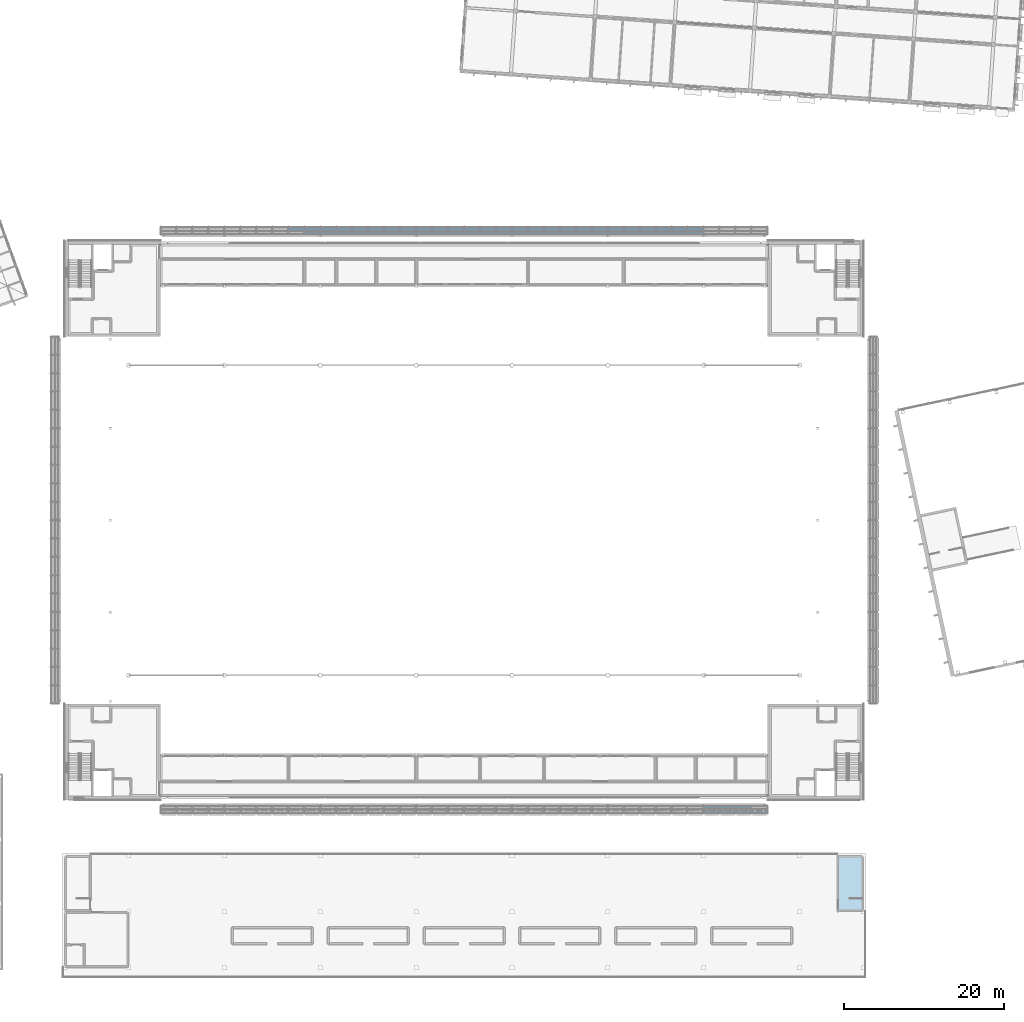
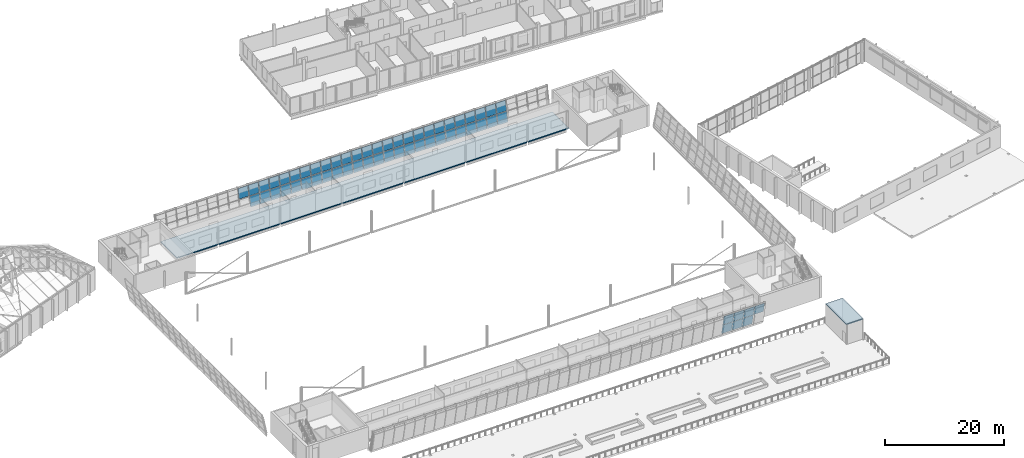
# One storey, part 44 of 95: 58 plates, 2 slabs, 3 elements without a shape of their own.
"""IFC4 building model written with IfcOpenShell, lengths in metres."""

import ifcopenshell
import ifcopenshell.guid

model = None  # the IFC model being written
_history = None  # IfcOwnerHistory: only IFC2X3 demands one
_inside = {}  # id of a spatial element -> (the spatial element, [elements in it])
_under = {}  # id of a project, library or spatial element -> (it, [spatial elements below it])
_declared = {}  # id of a project -> (the project, [libraries it declares])
_typed = {}  # id of a type object -> (the type object, [elements of that type])
_made_of = {}  # id of a material, layer set ... -> (it, [elements and type objects made of it])


def new_model(schema):
    """Start an empty IFC model of exactly this schema.

    Asked for "IFC4X3", IfcOpenShell would pick the latest addendum, in which some entities
    have other attributes; the version numbers below select the first issue.
    IFC2X3 requires an IfcOwnerHistory on every rooted entity: one is made here for all.
    """
    global model, _history
    if schema == "IFC4X3":
        model = ifcopenshell.file(schema_version=(4, 3, 0, 0))
    else:
        model = ifcopenshell.file(schema=schema)
    _inside.clear()
    _under.clear()
    _declared.clear()
    _typed.clear()
    _made_of.clear()
    _history = None
    if model.schema == "IFC2X3":
        org = make("IfcOrganization", Name="unknown")
        user = make(
            "IfcPersonAndOrganization",
            ThePerson=make("IfcPerson", FamilyName="unknown"),
            TheOrganization=org,
        )
        app = make(
            "IfcApplication",
            ApplicationDeveloper=org,
            Version="unknown",
            ApplicationFullName="unknown",
            ApplicationIdentifier="unknown",
        )
        _history = make(
            "IfcOwnerHistory",
            OwningUser=user,
            OwningApplication=app,
            ChangeAction="ADDED",
            CreationDate=0,
        )
    return model


def make(cls, **values):
    """One entity of the class cls with the attributes given. An attribute that is None is left unset."""
    return model.create_entity(
        cls, **{name: value for name, value in values.items() if value is not None}
    )


def rooted(cls, **values):
    """An entity with a GlobalId (a new one), such as an element, a storey or a relation."""
    return make(cls, GlobalId=ifcopenshell.guid.new(), OwnerHistory=_history, **values)


def si_unit(unit_type, name, prefix=None):
    """IfcSIUnit, for example si_unit("LENGTHUNIT", "METRE", prefix="MILLI")."""
    return make("IfcSIUnit", UnitType=unit_type, Prefix=prefix, Name=name)


def assignment(units):
    """IfcUnitAssignment: the units of a project."""
    return None if units is None else make("IfcUnitAssignment", Units=units)


def point(xyz):
    """IfcCartesianPoint."""
    return None if xyz is None else make("IfcCartesianPoint", Coordinates=xyz)


def direction(xyz):
    """IfcDirection."""
    return None if xyz is None else make("IfcDirection", DirectionRatios=xyz)


def frame(location, z_axis=None, x_axis=None):
    """IfcAxis2Placement3D, a coordinate frame: its origin and axes. An axis left out is left unset."""
    return make(
        "IfcAxis2Placement3D",
        Location=point(location),
        Axis=direction(z_axis),
        RefDirection=direction(x_axis),
    )


def origin():
    """The frame at (0, 0, 0) with its axes left unset."""
    return frame((0.0, 0.0, 0.0))


def place(relative_to, where):
    """IfcLocalPlacement: puts the frame where relative to a parent placement (None: the world)."""
    return make(
        "IfcLocalPlacement", PlacementRelTo=relative_to, RelativePlacement=where
    )


def context(
    kind, dimensions, precision=None, world=None, true_north=None, identifier=None
):
    """IfcGeometricRepresentationContext, for example the 3D "Model" context."""
    return make(
        "IfcGeometricRepresentationContext",
        ContextIdentifier=identifier,
        ContextType=kind,
        CoordinateSpaceDimension=dimensions,
        Precision=precision,
        WorldCoordinateSystem=world,
        TrueNorth=true_north,
    )


def subcontext(parent, identifier, kind, view, scale=None):
    """IfcGeometricRepresentationSubContext, for example "Body" below "Model"."""
    return make(
        "IfcGeometricRepresentationSubContext",
        ContextIdentifier=identifier,
        ContextType=kind,
        ParentContext=parent,
        TargetScale=scale,
        TargetView=view,
    )


def project(units=None, contexts=None):
    """IfcProject with its units and contexts."""
    return rooted(
        "IfcProject",
        Name="project",
        RepresentationContexts=contexts,
        UnitsInContext=assignment(units),
    )


def spatial(cls, under=None, at=None, **own):
    """A site, building, storey or space (cls), placed at a placement, below another one or the project."""
    s = rooted(cls, ObjectPlacement=at, **own)
    if under is not None:
        _under.setdefault(under.id(), (under, []))[1].append(s)
    return s


def polyline(points):
    """IfcPolyline through the points."""
    return make("IfcPolyline", Points=[point(p) for p in points])


def outline(outer, holes=None, kind="AREA"):
    """IfcArbitraryClosedProfileDef: a profile drawn as a closed curve; with holes, ...WithVoids."""
    if holes is None:
        return make("IfcArbitraryClosedProfileDef", ProfileType=kind, OuterCurve=outer)
    return make(
        "IfcArbitraryProfileDefWithVoids",
        ProfileType=kind,
        OuterCurve=outer,
        InnerCurves=holes,
    )


def extrude(swept, where, along, depth):
    """IfcExtrudedAreaSolid: the profile swept, set in the frame where, extruded along a direction by depth."""
    return make(
        "IfcExtrudedAreaSolid",
        SweptArea=swept,
        Position=where,
        ExtrudedDirection=direction(along),
        Depth=depth,
    )


def shape(context_of_items, identifier, shape_type, items):
    """IfcShapeRepresentation: the items that make up one representation, for example the "Body"."""
    return make(
        "IfcShapeRepresentation",
        ContextOfItems=context_of_items,
        RepresentationIdentifier=identifier,
        RepresentationType=shape_type,
        Items=items,
    )


def material(Name=None, Category=None):
    """IfcMaterial."""
    return make("IfcMaterial", Name=Name, Category=Category)


def layer(
    of_material, thickness, ventilated=None, Name=None, Category=None, Priority=None
):
    """IfcMaterialLayer: one layer of a wall or slab, of a material (None: an air gap)."""
    return make(
        "IfcMaterialLayer",
        Material=of_material,
        LayerThickness=thickness,
        IsVentilated=ventilated,
        Name=Name,
        Category=Category,
        Priority=Priority,
    )


def layer_set(layers, Name=None):
    """IfcMaterialLayerSet."""
    return make("IfcMaterialLayerSet", MaterialLayers=layers, LayerSetName=Name)


def made_of(thing, what):
    """Note that an element or type object is made of a material, layer set ...; save() writes the relation."""
    if what is not None:
        _made_of.setdefault(what.id(), (what, []))[1].append(thing)
    return thing


def type_object(cls, material=None, **own):
    """A type object (cls), such as IfcWallType, which elements share."""
    return made_of(rooted(cls, **own), material)


def element(
    cls,
    number,
    at=None,
    inside=None,
    cuts=None,
    type_object=None,
    material=None,
    context=None,
    identifier="Body",
    shape_type=None,
    held_by="IfcProductDefinitionShape",
    body=None,
    shapes=None,
    **own,
):
    """One element of the class cls, such as IfcWall. Its Tag is "e" and its number.

    at: its placement. inside: the storey or other place that contains it. cuts: it is an
    opening in that element (IfcRelVoidsElement). A single representation is given by context,
    identifier, shape_type and body (its items); several are given by shapes. held_by: the class
    of the entity that holds the representations. save() writes the other relations.
    """
    e = rooted(cls, Tag="e%d" % number, ObjectPlacement=at, **own)
    if body is not None:
        shapes = [shape(context, identifier, shape_type, body)]
    if shapes is not None:
        e.Representation = make(held_by, Representations=shapes)
    if inside is not None:
        _inside.setdefault(inside.id(), (inside, []))[1].append(e)
    if cuts is not None:
        rooted(
            "IfcRelVoidsElement", RelatingBuildingElement=cuts, RelatedOpeningElement=e
        )
    if type_object is not None:
        _typed.setdefault(type_object.id(), (type_object, []))[1].append(e)
    return made_of(e, material)


def aggregate(whole, parts):
    """IfcRelAggregates: a whole, such as a stair, and the parts it consists of."""
    return rooted("IfcRelAggregates", RelatingObject=whole, RelatedObjects=parts)


def save(model, path):
    """Write the relations noted so far, then the file.

    IfcRelAggregates (storeys below a building ...), IfcRelContainedInSpatialStructure (elements
    in a storey), IfcRelDefinesByType, IfcRelAssociatesMaterial and IfcRelDeclares: one each for
    every whole, place, type object, material and project.
    """
    for whole, parts in _under.values():
        aggregate(whole, parts)
    for where, things in _inside.values():
        rooted(
            "IfcRelContainedInSpatialStructure",
            RelatedElements=things,
            RelatingStructure=where,
        )
    for kind, things in _typed.values():
        rooted("IfcRelDefinesByType", RelatedObjects=things, RelatingType=kind)
    for what, things in _made_of.values():
        rooted("IfcRelAssociatesMaterial", RelatedObjects=things, RelatingMaterial=what)
    for by, libraries in _declared.values():
        rooted("IfcRelDeclares", RelatingContext=by, RelatedDefinitions=libraries)
    model.write(path)


model = new_model("IFC4")

# Units and contexts
model_context = context("Model", 3, precision=1e-05, world=origin(), true_north=direction((0.0, 1.0)))
body_context = subcontext(model_context, "Body", "Model", "MODEL_VIEW")
ifc_project = project(units=[si_unit("LENGTHUNIT", "METRE"), si_unit("AREAUNIT", "SQUARE_METRE"), si_unit("VOLUMEUNIT", "CUBIC_METRE"), si_unit("PLANEANGLEUNIT", "RADIAN"), si_unit("MASSUNIT", "GRAM", prefix="KILO")], contexts=[model_context])

# Site, building, storey
site_placement = place(None, origin())
site = spatial("IfcSite", under=ifc_project, at=site_placement, CompositionType="ELEMENT")
building_placement = place(site_placement, origin())
building = spatial("IfcBuilding", under=site, at=building_placement, Name="Windward Yard Aquatics Centre", CompositionType="ELEMENT")
storey_placement = place(building_placement, frame((0.0, 0.0, 9.39990234375)))
storey = spatial("IfcBuildingStorey", under=building, at=storey_placement, Name="L02", CompositionType="ELEMENT", Elevation=9.39990234375)

# Slabs
ifc_material_1 = material(Name="Concrete C35/45", Category="concrete")
ifc_layer_1 = layer(ifc_material_1, 0.199951171875)
ifc_layer_set_1 = layer_set([ifc_layer_1], Name="C head-house roof 200")
slab_type_1 = type_object("IfcSlabType", Name="C head-house roof 200", PredefinedType="ROOF", material=ifc_layer_set_1)
slab_1_placement = place(storey_placement, frame((0.0, 0.0, 4.0)))
element("IfcSlab", 1, at=slab_1_placement, inside=storey, type_object=slab_type_1, Name="C.S.L02.HHS2", PredefinedType="ROOF", context=body_context, shape_type="SweptSolid", body=[
    extrude(outline(polyline([(148.699951171875, 12.050048828125), (152.0, 12.050048828125), (152.0, 19.0), (148.699951171875, 19.0), (148.699951171875, 12.050048828125)])), origin(), (0.0, 0.0, 1.0), 0.2001953125),
])
ifc_layer_2 = layer(ifc_material_1, 0.199951171875)
ifc_layer_set_2 = layer_set([ifc_layer_2], Name="H gallery slab 200 C35/45")
slab_type_2 = type_object("IfcSlabType", Name="H gallery slab 200 C35/45", PredefinedType="FLOOR", material=ifc_layer_set_2)
slab_2_placement = place(storey_placement, frame((0.0, 0.0, -0.199951171875)))
element("IfcSlab", 2, at=slab_2_placement, inside=storey, type_object=slab_type_2, Name="H.GA.N.1", PredefinedType="FLOOR", context=body_context, shape_type="SweptSolid", body=[
    extrude(outline(polyline([(64.0, 90.290283203125), (64.0, 95.800048828125), (140.0, 95.800048828125), (140.0, 90.290283203125), (139.777099609375, 90.290283203125), (139.777099609375, 90.41748046875), (139.52294921875, 90.41748046875), (139.52294921875, 90.290283203125), (132.126953125, 90.290283203125), (132.126953125, 90.41748046875), (131.873046875, 90.41748046875), (131.873046875, 90.290283203125), (120.126953125, 90.290283203125), (120.126953125, 90.41748046875), (119.873046875, 90.41748046875), (119.873046875, 90.290283203125), (108.126953125, 90.290283203125), (108.126953125, 90.41748046875), (107.873046875, 90.41748046875), (107.873046875, 90.290283203125), (96.126953125, 90.290283203125), (96.126953125, 90.41748046875), (95.873046875, 90.41748046875), (95.873046875, 90.290283203125), (84.126953125, 90.290283203125), (84.126953125, 90.41748046875), (83.873046875, 90.41748046875), (83.873046875, 90.290283203125), (72.126953125, 90.290283203125), (72.126953125, 90.41748046875), (71.873046875, 90.41748046875), (71.873046875, 90.290283203125), (64.47705078125, 90.290283203125), (64.47705078125, 90.41748046875), (64.222900390625, 90.41748046875), (64.222900390625, 90.290283203125), (64.0, 90.290283203125)])), origin(), (0.0, 0.0, 1.0), 0.199951171875),
])

# Curtain wall, plates
ifc_material_2 = material(Name="Glass and aluminium curtain wall", Category="aluminium")
ifc_layer_3 = layer(ifc_material_2, 0.179931640625)
ifc_layer_set_3 = layer_set([ifc_layer_3], Name="H curtain wall tier 1 double glazed 8+16+8")
curtain_wall_type = type_object("IfcCurtainWallType", Name="H curtain wall tier 1 double glazed 8+16+8", PredefinedType="NOTDEFINED", material=ifc_layer_set_3)
curtain_wall_1_placement = place(storey_placement, origin())
curtain_wall_1 = element("IfcCurtainWall", 3, at=curtain_wall_1_placement, inside=storey, type_object=curtain_wall_type, Name="Tier 1 glazing S L02", PredefinedType="NOTDEFINED")
ifc_material_3 = material(Name="Low-iron glass", Category="glass")
ifc_layer_4 = layer(ifc_material_3, 0.008, Name="Outer pane")
ifc_material_4 = material(Name="Argon-filled cavity")
ifc_layer_5 = layer(ifc_material_4, 0.016, Name="Cavity")
ifc_layer_6 = layer(ifc_material_3, 0.008, Name="Inner pane")
ifc_layer_set_4 = layer_set([ifc_layer_4, ifc_layer_5, ifc_layer_6], Name="H tier 1 glass low-e double glazed unit 32")
plate_type = type_object("IfcPlateType", Name="H tier 1 glass low-e double glazed unit 32", PredefinedType="CURTAIN_PANEL", material=ifc_layer_set_4)
plate_1_placement = place(storey_placement, frame((132.033447265625, 24.7900390625, 2.079345703125), z_axis=(0.0, 0.979933459069, 0.199324900092), x_axis=(0.0, 0.199324900092, -0.979933459069)))
plate_1 = element("IfcPlate", 4, at=plate_1_placement, type_object=plate_type, Name="G1SB panel 16.1", PredefinedType="CURTAIN_PANEL", context=body_context, shape_type="SweptSolid", body=[
    extrude(outline(polyline([(0.0, 0.0), (2.018532, 0.0), (2.018532, -1.934814), (0.0, -1.934814), (0.0, 0.0)])), origin(), (0.0, 0.0, -1.0), 0.031982421875),
])
plate_2_placement = place(storey_placement, frame((132.033447265625, 24.368896484375, 4.14892578125), z_axis=(0.0, 0.979926619255, 0.199358523457), x_axis=(0.0, 0.199358523457, -0.979926619255)))
plate_2 = element("IfcPlate", 5, at=plate_2_placement, type_object=plate_type, Name="G1SB panel 16.2", PredefinedType="CURTAIN_PANEL", context=body_context, shape_type="SweptSolid", body=[
    extrude(outline(polyline([(0.0, 0.0), (2.012069, 0.0), (2.012069, -1.934814), (0.0, -1.934814), (0.0, 0.0)])), origin(), (0.0, 0.0, -1.0), 0.031982421875),
])
plate_3_placement = place(storey_placement, frame((134.033203125, 24.7900390625, 2.079345703125), z_axis=(0.0, 0.979933459069, 0.199324900092), x_axis=(0.0, 0.199324900092, -0.979933459069)))
plate_3 = element("IfcPlate", 6, at=plate_3_placement, type_object=plate_type, Name="G1SB panel 17.1", PredefinedType="CURTAIN_PANEL", context=body_context, shape_type="SweptSolid", body=[
    extrude(outline(polyline([(0.0, 0.0), (2.018532, 0.0), (2.018532, -1.934814), (0.0, -1.934814), (0.0, 0.0)])), origin(), (0.0, 0.0, -1.0), 0.031982421875),
])
plate_4_placement = place(storey_placement, frame((134.033203125, 24.368896484375, 4.14892578125), z_axis=(0.0, 0.979926619255, 0.199358523457), x_axis=(0.0, 0.199358523457, -0.979926619255)))
plate_4 = element("IfcPlate", 7, at=plate_4_placement, type_object=plate_type, Name="G1SB panel 17.2", PredefinedType="CURTAIN_PANEL", context=body_context, shape_type="SweptSolid", body=[
    extrude(outline(polyline([(0.0, 0.0), (2.012069, 0.0), (2.012069, -1.934814), (0.0, -1.934814), (0.0, 0.0)])), origin(), (0.0, 0.0, -1.0), 0.031982421875),
])
plate_5_placement = place(storey_placement, frame((136.032958984375, 24.7900390625, 2.079345703125), z_axis=(0.0, 0.979933459069, 0.199324900092), x_axis=(0.0, 0.199324900092, -0.979933459069)))
plate_5 = element("IfcPlate", 8, at=plate_5_placement, type_object=plate_type, Name="G1SB panel 18.1", PredefinedType="CURTAIN_PANEL", context=body_context, shape_type="SweptSolid", body=[
    extrude(outline(polyline([(0.0, 0.0), (2.018532, 0.0), (2.018532, -1.934814), (0.0, -1.934814), (0.0, 0.0)])), origin(), (0.0, 0.0, -1.0), 0.031982421875),
])
plate_6_placement = place(storey_placement, frame((136.032958984375, 24.368896484375, 4.14892578125), z_axis=(0.0, 0.979926619255, 0.199358523457), x_axis=(0.0, 0.199358523457, -0.979926619255)))
plate_6 = element("IfcPlate", 9, at=plate_6_placement, type_object=plate_type, Name="G1SB panel 18.2", PredefinedType="CURTAIN_PANEL", context=body_context, shape_type="SweptSolid", body=[
    extrude(outline(polyline([(0.0, 0.0), (2.012069, 0.0), (2.012069, -1.934814), (0.0, -1.934814), (0.0, 0.0)])), origin(), (0.0, 0.0, -1.0), 0.031982421875),
])
plate_7_placement = place(storey_placement, frame((138.03271484375, 24.368896484375, 4.14892578125), z_axis=(0.0, 0.979926619255, 0.199358523457), x_axis=(0.0, 0.199358523457, -0.979926619255)))
plate_7 = element("IfcPlate", 10, at=plate_7_placement, type_object=plate_type, Name="G1SB panel 19.2", PredefinedType="CURTAIN_PANEL", context=body_context, shape_type="SweptSolid", body=[
    extrude(outline(polyline([(0.0, 0.0), (2.012069, 0.0), (2.012069, -1.902344), (0.0, -1.902344), (0.0, 0.0)])), origin(), (0.0, 0.0, -1.0), 0.031982421875),
])
aggregate(curtain_wall_1, [plate_1, plate_2, plate_3, plate_4, plate_5, plate_6, plate_7])

curtain_wall_2_placement = place(storey_placement, origin())
curtain_wall_2 = element("IfcCurtainWall", 11, at=curtain_wall_2_placement, inside=storey, type_object=curtain_wall_type, Name="Tier 1 glazing N L02", PredefinedType="NOTDEFINED")
plate_8_placement = place(storey_placement, frame((80.0302734375, 97.22998046875, 2.17724609375), z_axis=(0.0, -0.979926619255, 0.199358523457), x_axis=(1.0, 0.0, 0.0)))
plate_8 = element("IfcPlate", 12, at=plate_8_placement, type_object=plate_type, Name="G1NA panel 9.2", PredefinedType="CURTAIN_PANEL", context=body_context, shape_type="SweptSolid", body=[
    extrude(outline(polyline([(0.0, 0.0), (1.934814, 0.0), (1.934814, 2.012069), (0.0, 2.012069), (0.0, 0.0)])), origin(), (0.0, 0.0, -1.0), 0.031982421875),
])
plate_9_placement = place(storey_placement, frame((82.030029296875, 96.8076171875, 0.101318359375), z_axis=(0.0, -0.979933459069, 0.199324900092), x_axis=(1.0, 0.0, 0.0)))
plate_9 = element("IfcPlate", 13, at=plate_9_placement, type_object=plate_type, Name="G1NA panel 10.1", PredefinedType="CURTAIN_PANEL", context=body_context, shape_type="SweptSolid", body=[
    extrude(outline(polyline([(0.0, 0.0), (1.934814, 0.0), (1.934814, 2.018532), (0.0, 2.018532), (0.0, 0.0)])), origin(), (0.0, 0.0, -1.0), 0.031982421875),
])
plate_10_placement = place(storey_placement, frame((82.030029296875, 97.22998046875, 2.17724609375), z_axis=(0.0, -0.979926619255, 0.199358523457), x_axis=(1.0, 0.0, 0.0)))
plate_10 = element("IfcPlate", 14, at=plate_10_placement, type_object=plate_type, Name="G1NA panel 10.2", PredefinedType="CURTAIN_PANEL", context=body_context, shape_type="SweptSolid", body=[
    extrude(outline(polyline([(0.0, 0.0), (1.934814, 0.0), (1.934814, 2.012069), (0.0, 2.012069), (0.0, 0.0)])), origin(), (0.0, 0.0, -1.0), 0.031982421875),
])
plate_11_placement = place(storey_placement, frame((84.02978515625, 96.8076171875, 0.101318359375), z_axis=(0.0, -0.979933459069, 0.199324900092), x_axis=(1.0, 0.0, 0.0)))
plate_11 = element("IfcPlate", 15, at=plate_11_placement, type_object=plate_type, Name="G1NA panel 11.1", PredefinedType="CURTAIN_PANEL", context=body_context, shape_type="SweptSolid", body=[
    extrude(outline(polyline([(0.0, 0.0), (1.934814, 0.0), (1.934814, 2.018532), (0.0, 2.018532), (0.0, 0.0)])), origin(), (0.0, 0.0, -1.0), 0.031982421875),
])
plate_12_placement = place(storey_placement, frame((84.02978515625, 97.22998046875, 2.17724609375), z_axis=(0.0, -0.979926619255, 0.199358523457), x_axis=(1.0, 0.0, 0.0)))
plate_12 = element("IfcPlate", 16, at=plate_12_placement, type_object=plate_type, Name="G1NA panel 11.2", PredefinedType="CURTAIN_PANEL", context=body_context, shape_type="SweptSolid", body=[
    extrude(outline(polyline([(0.0, 0.0), (1.934814, 0.0), (1.934814, 2.012069), (0.0, 2.012069), (0.0, 0.0)])), origin(), (0.0, 0.0, -1.0), 0.031982421875),
])
plate_13_placement = place(storey_placement, frame((86.029541015625, 96.8076171875, 0.101318359375), z_axis=(0.0, -0.979933459069, 0.199324900092), x_axis=(1.0, 0.0, 0.0)))
plate_13 = element("IfcPlate", 17, at=plate_13_placement, type_object=plate_type, Name="G1NA panel 12.1", PredefinedType="CURTAIN_PANEL", context=body_context, shape_type="SweptSolid", body=[
    extrude(outline(polyline([(0.0, 0.0), (1.934814, 0.0), (1.934814, 2.018532), (0.0, 2.018532), (0.0, 0.0)])), origin(), (0.0, 0.0, -1.0), 0.031982421875),
])
plate_14_placement = place(storey_placement, frame((86.029541015625, 97.22998046875, 2.17724609375), z_axis=(0.0, -0.979926619255, 0.199358523457), x_axis=(1.0, 0.0, 0.0)))
plate_14 = element("IfcPlate", 18, at=plate_14_placement, type_object=plate_type, Name="G1NA panel 12.2", PredefinedType="CURTAIN_PANEL", context=body_context, shape_type="SweptSolid", body=[
    extrude(outline(polyline([(0.0, 0.0), (1.934814, 0.0), (1.934814, 2.012069), (0.0, 2.012069), (0.0, 0.0)])), origin(), (0.0, 0.0, -1.0), 0.031982421875),
])
plate_15_placement = place(storey_placement, frame((88.029296875, 96.8076171875, 0.101318359375), z_axis=(0.0, -0.979933459069, 0.199324900092), x_axis=(1.0, 0.0, 0.0)))
plate_15 = element("IfcPlate", 19, at=plate_15_placement, type_object=plate_type, Name="G1NA panel 13.1", PredefinedType="CURTAIN_PANEL", context=body_context, shape_type="SweptSolid", body=[
    extrude(outline(polyline([(0.0, 0.0), (1.934814, 0.0), (1.934814, 2.018532), (0.0, 2.018532), (0.0, 0.0)])), origin(), (0.0, 0.0, -1.0), 0.031982421875),
])
plate_16_placement = place(storey_placement, frame((88.029296875, 97.22998046875, 2.17724609375), z_axis=(0.0, -0.979926619255, 0.199358523457), x_axis=(1.0, 0.0, 0.0)))
plate_16 = element("IfcPlate", 20, at=plate_16_placement, type_object=plate_type, Name="G1NA panel 13.2", PredefinedType="CURTAIN_PANEL", context=body_context, shape_type="SweptSolid", body=[
    extrude(outline(polyline([(0.0, 0.0), (1.934814, 0.0), (1.934814, 2.012069), (0.0, 2.012069), (0.0, 0.0)])), origin(), (0.0, 0.0, -1.0), 0.031982421875),
])
plate_17_placement = place(storey_placement, frame((90.029052734375, 96.8076171875, 0.101318359375), z_axis=(0.0, -0.979933459069, 0.199324900092), x_axis=(1.0, 0.0, 0.0)))
plate_17 = element("IfcPlate", 21, at=plate_17_placement, type_object=plate_type, Name="G1NA panel 14.1", PredefinedType="CURTAIN_PANEL", context=body_context, shape_type="SweptSolid", body=[
    extrude(outline(polyline([(0.0, 0.0), (1.934814, 0.0), (1.934814, 2.018532), (0.0, 2.018532), (0.0, 0.0)])), origin(), (0.0, 0.0, -1.0), 0.031982421875),
])
plate_18_placement = place(storey_placement, frame((90.029052734375, 97.22998046875, 2.17724609375), z_axis=(0.0, -0.979926619255, 0.199358523457), x_axis=(1.0, 0.0, 0.0)))
plate_18 = element("IfcPlate", 22, at=plate_18_placement, type_object=plate_type, Name="G1NA panel 14.2", PredefinedType="CURTAIN_PANEL", context=body_context, shape_type="SweptSolid", body=[
    extrude(outline(polyline([(0.0, 0.0), (1.934814, 0.0), (1.934814, 2.012069), (0.0, 2.012069), (0.0, 0.0)])), origin(), (0.0, 0.0, -1.0), 0.031982421875),
])
plate_19_placement = place(storey_placement, frame((92.02880859375, 96.8076171875, 0.101318359375), z_axis=(0.0, -0.979933459069, 0.199324900092), x_axis=(1.0, 0.0, 0.0)))
plate_19 = element("IfcPlate", 23, at=plate_19_placement, type_object=plate_type, Name="G1NA panel 15.1", PredefinedType="CURTAIN_PANEL", context=body_context, shape_type="SweptSolid", body=[
    extrude(outline(polyline([(0.0, 0.0), (1.934814, 0.0), (1.934814, 2.018532), (0.0, 2.018532), (0.0, 0.0)])), origin(), (0.0, 0.0, -1.0), 0.031982421875),
])
plate_20_placement = place(storey_placement, frame((92.02880859375, 97.22998046875, 2.17724609375), z_axis=(0.0, -0.979926619255, 0.199358523457), x_axis=(1.0, 0.0, 0.0)))
plate_20 = element("IfcPlate", 24, at=plate_20_placement, type_object=plate_type, Name="G1NA panel 15.2", PredefinedType="CURTAIN_PANEL", context=body_context, shape_type="SweptSolid", body=[
    extrude(outline(polyline([(0.0, 0.0), (1.934814, 0.0), (1.934814, 2.012069), (0.0, 2.012069), (0.0, 0.0)])), origin(), (0.0, 0.0, -1.0), 0.031982421875),
])
plate_21_placement = place(storey_placement, frame((94.028564453125, 96.8076171875, 0.101318359375), z_axis=(0.0, -0.979933459069, 0.199324900092), x_axis=(1.0, 0.0, 0.0)))
plate_21 = element("IfcPlate", 25, at=plate_21_placement, type_object=plate_type, Name="G1NA panel 16.1", PredefinedType="CURTAIN_PANEL", context=body_context, shape_type="SweptSolid", body=[
    extrude(outline(polyline([(0.0, 0.0), (1.934814, 0.0), (1.934814, 2.018532), (0.0, 2.018532), (0.0, 0.0)])), origin(), (0.0, 0.0, -1.0), 0.031982421875),
])
plate_22_placement = place(storey_placement, frame((94.028564453125, 97.22998046875, 2.17724609375), z_axis=(0.0, -0.979926619255, 0.199358523457), x_axis=(1.0, 0.0, 0.0)))
plate_22 = element("IfcPlate", 26, at=plate_22_placement, type_object=plate_type, Name="G1NA panel 16.2", PredefinedType="CURTAIN_PANEL", context=body_context, shape_type="SweptSolid", body=[
    extrude(outline(polyline([(0.0, 0.0), (1.934814, 0.0), (1.934814, 2.012069), (0.0, 2.012069), (0.0, 0.0)])), origin(), (0.0, 0.0, -1.0), 0.031982421875),
])
plate_23_placement = place(storey_placement, frame((96.0283203125, 96.8076171875, 0.101318359375), z_axis=(0.0, -0.979933459069, 0.199324900092), x_axis=(1.0, 0.0, 0.0)))
plate_23 = element("IfcPlate", 27, at=plate_23_placement, type_object=plate_type, Name="G1NA panel 17.1", PredefinedType="CURTAIN_PANEL", context=body_context, shape_type="SweptSolid", body=[
    extrude(outline(polyline([(0.0, 0.0), (1.934814, 0.0), (1.934814, 2.018532), (0.0, 2.018532), (0.0, 0.0)])), origin(), (0.0, 0.0, -1.0), 0.031982421875),
])
plate_24_placement = place(storey_placement, frame((96.0283203125, 97.22998046875, 2.17724609375), z_axis=(0.0, -0.979926619255, 0.199358523457), x_axis=(1.0, 0.0, 0.0)))
plate_24 = element("IfcPlate", 28, at=plate_24_placement, type_object=plate_type, Name="G1NA panel 17.2", PredefinedType="CURTAIN_PANEL", context=body_context, shape_type="SweptSolid", body=[
    extrude(outline(polyline([(0.0, 0.0), (1.934814, 0.0), (1.934814, 2.012069), (0.0, 2.012069), (0.0, 0.0)])), origin(), (0.0, 0.0, -1.0), 0.031982421875),
])
plate_25_placement = place(storey_placement, frame((98.028076171875, 96.8076171875, 0.101318359375), z_axis=(0.0, -0.979933459069, 0.199324900092), x_axis=(1.0, 0.0, 0.0)))
plate_25 = element("IfcPlate", 29, at=plate_25_placement, type_object=plate_type, Name="G1NA panel 18.1", PredefinedType="CURTAIN_PANEL", context=body_context, shape_type="SweptSolid", body=[
    extrude(outline(polyline([(0.0, 0.0), (1.93457, 0.0), (1.93457, 2.018532), (0.0, 2.018532), (0.0, 0.0)])), origin(), (0.0, 0.0, -1.0), 0.031982421875),
])
plate_26_placement = place(storey_placement, frame((98.028076171875, 97.22998046875, 2.17724609375), z_axis=(0.0, -0.979926619255, 0.199358523457), x_axis=(1.0, 0.0, 0.0)))
plate_26 = element("IfcPlate", 30, at=plate_26_placement, type_object=plate_type, Name="G1NA panel 18.2", PredefinedType="CURTAIN_PANEL", context=body_context, shape_type="SweptSolid", body=[
    extrude(outline(polyline([(0.0, 0.0), (1.93457, 0.0), (1.93457, 2.012069), (0.0, 2.012069), (0.0, 0.0)])), origin(), (0.0, 0.0, -1.0), 0.031982421875),
])
plate_27_placement = place(storey_placement, frame((100.02783203125, 96.8076171875, 0.101318359375), z_axis=(0.0, -0.979933459069, 0.199324900092), x_axis=(1.0, 0.0, 0.0)))
plate_27 = element("IfcPlate", 31, at=plate_27_placement, type_object=plate_type, Name="G1NA panel 19.1", PredefinedType="CURTAIN_PANEL", context=body_context, shape_type="SweptSolid", body=[
    extrude(outline(polyline([(0.0, 0.0), (1.9021, 0.0), (1.9021, 2.018532), (0.0, 2.018532), (0.0, 0.0)])), origin(), (0.0, 0.0, -1.0), 0.031982421875),
])
plate_28_placement = place(storey_placement, frame((100.02783203125, 97.22998046875, 2.17724609375), z_axis=(0.0, -0.979926619255, 0.199358523457), x_axis=(1.0, 0.0, 0.0)))
plate_28 = element("IfcPlate", 32, at=plate_28_placement, type_object=plate_type, Name="G1NA panel 19.2", PredefinedType="CURTAIN_PANEL", context=body_context, shape_type="SweptSolid", body=[
    extrude(outline(polyline([(0.0, 0.0), (1.9021, 0.0), (1.9021, 2.012069), (0.0, 2.012069), (0.0, 0.0)])), origin(), (0.0, 0.0, -1.0), 0.031982421875),
])
aggregate(curtain_wall_2, [plate_8, plate_9, plate_10, plate_11, plate_12, plate_13, plate_14, plate_15, plate_16, plate_17, plate_18, plate_19, plate_20, plate_21, plate_22, plate_23, plate_24, plate_25, plate_26, plate_27, plate_28])

curtain_wall_3_placement = place(storey_placement, origin())
curtain_wall_3 = element("IfcCurtainWall", 33, at=curtain_wall_3_placement, inside=storey, type_object=curtain_wall_type, Name="Tier 1 glazing N L02", PredefinedType="NOTDEFINED")
plate_29_placement = place(storey_placement, frame((102.070068359375, 96.8076171875, 0.101318359375), z_axis=(0.0, -0.979933459069, 0.199324900092), x_axis=(1.0, 0.0, 0.0)))
plate_29 = element("IfcPlate", 34, at=plate_29_placement, type_object=plate_type, Name="G1NB panel 1.1", PredefinedType="CURTAIN_PANEL", context=body_context, shape_type="SweptSolid", body=[
    extrude(outline(polyline([(0.0, 0.0), (1.9021, 0.0), (1.9021, 2.018532), (0.0, 2.018532), (0.0, 0.0)])), origin(), (0.0, 0.0, -1.0), 0.031982421875),
])
plate_30_placement = place(storey_placement, frame((102.070068359375, 97.22998046875, 2.17724609375), z_axis=(0.0, -0.979926619255, 0.199358523457), x_axis=(1.0, 0.0, 0.0)))
plate_30 = element("IfcPlate", 35, at=plate_30_placement, type_object=plate_type, Name="G1NB panel 1.2", PredefinedType="CURTAIN_PANEL", context=body_context, shape_type="SweptSolid", body=[
    extrude(outline(polyline([(0.0, 0.0), (1.9021, 0.0), (1.9021, 2.012069), (0.0, 2.012069), (0.0, 0.0)])), origin(), (0.0, 0.0, -1.0), 0.031982421875),
])
plate_31_placement = place(storey_placement, frame((104.037353515625, 96.8076171875, 0.101318359375), z_axis=(0.0, -0.979933459069, 0.199324900092), x_axis=(1.0, 0.0, 0.0)))
plate_31 = element("IfcPlate", 36, at=plate_31_placement, type_object=plate_type, Name="G1NB panel 2.1", PredefinedType="CURTAIN_PANEL", context=body_context, shape_type="SweptSolid", body=[
    extrude(outline(polyline([(0.0, 0.0), (1.93457, 0.0), (1.93457, 2.018532), (0.0, 2.018532), (0.0, 0.0)])), origin(), (0.0, 0.0, -1.0), 0.031982421875),
])
plate_32_placement = place(storey_placement, frame((104.037353515625, 97.22998046875, 2.17724609375), z_axis=(0.0, -0.979926619255, 0.199358523457), x_axis=(1.0, 0.0, 0.0)))
plate_32 = element("IfcPlate", 37, at=plate_32_placement, type_object=plate_type, Name="G1NB panel 2.2", PredefinedType="CURTAIN_PANEL", context=body_context, shape_type="SweptSolid", body=[
    extrude(outline(polyline([(0.0, 0.0), (1.93457, 0.0), (1.93457, 2.012069), (0.0, 2.012069), (0.0, 0.0)])), origin(), (0.0, 0.0, -1.0), 0.031982421875),
])
plate_33_placement = place(storey_placement, frame((106.036865234375, 96.8076171875, 0.101318359375), z_axis=(0.0, -0.979933459069, 0.199324900092), x_axis=(1.0, 0.0, 0.0)))
plate_33 = element("IfcPlate", 38, at=plate_33_placement, type_object=plate_type, Name="G1NB panel 3.1", PredefinedType="CURTAIN_PANEL", context=body_context, shape_type="SweptSolid", body=[
    extrude(outline(polyline([(0.0, 0.0), (1.934814, 0.0), (1.934814, 2.018532), (0.0, 2.018532), (0.0, 0.0)])), origin(), (0.0, 0.0, -1.0), 0.031982421875),
])
plate_34_placement = place(storey_placement, frame((106.036865234375, 97.22998046875, 2.17724609375), z_axis=(0.0, -0.979926619255, 0.199358523457), x_axis=(1.0, 0.0, 0.0)))
plate_34 = element("IfcPlate", 39, at=plate_34_placement, type_object=plate_type, Name="G1NB panel 3.2", PredefinedType="CURTAIN_PANEL", context=body_context, shape_type="SweptSolid", body=[
    extrude(outline(polyline([(0.0, 0.0), (1.934814, 0.0), (1.934814, 2.012069), (0.0, 2.012069), (0.0, 0.0)])), origin(), (0.0, 0.0, -1.0), 0.031982421875),
])
plate_35_placement = place(storey_placement, frame((108.03662109375, 96.8076171875, 0.101318359375), z_axis=(0.0, -0.979933459069, 0.199324900092), x_axis=(1.0, 0.0, 0.0)))
plate_35 = element("IfcPlate", 40, at=plate_35_placement, type_object=plate_type, Name="G1NB panel 4.1", PredefinedType="CURTAIN_PANEL", context=body_context, shape_type="SweptSolid", body=[
    extrude(outline(polyline([(0.0, 0.0), (1.934814, 0.0), (1.934814, 2.018532), (0.0, 2.018532), (0.0, 0.0)])), origin(), (0.0, 0.0, -1.0), 0.031982421875),
])
plate_36_placement = place(storey_placement, frame((108.03662109375, 97.22998046875, 2.17724609375), z_axis=(0.0, -0.979926619255, 0.199358523457), x_axis=(1.0, 0.0, 0.0)))
plate_36 = element("IfcPlate", 41, at=plate_36_placement, type_object=plate_type, Name="G1NB panel 4.2", PredefinedType="CURTAIN_PANEL", context=body_context, shape_type="SweptSolid", body=[
    extrude(outline(polyline([(0.0, 0.0), (1.934814, 0.0), (1.934814, 2.012069), (0.0, 2.012069), (0.0, 0.0)])), origin(), (0.0, 0.0, -1.0), 0.031982421875),
])
plate_37_placement = place(storey_placement, frame((110.036376953125, 96.8076171875, 0.101318359375), z_axis=(0.0, -0.979933459069, 0.199324900092), x_axis=(1.0, 0.0, 0.0)))
plate_37 = element("IfcPlate", 42, at=plate_37_placement, type_object=plate_type, Name="G1NB panel 5.1", PredefinedType="CURTAIN_PANEL", context=body_context, shape_type="SweptSolid", body=[
    extrude(outline(polyline([(0.0, 0.0), (1.934814, 0.0), (1.934814, 2.018532), (0.0, 2.018532), (0.0, 0.0)])), origin(), (0.0, 0.0, -1.0), 0.031982421875),
])
plate_38_placement = place(storey_placement, frame((110.036376953125, 97.22998046875, 2.17724609375), z_axis=(0.0, -0.979926619255, 0.199358523457), x_axis=(1.0, 0.0, 0.0)))
plate_38 = element("IfcPlate", 43, at=plate_38_placement, type_object=plate_type, Name="G1NB panel 5.2", PredefinedType="CURTAIN_PANEL", context=body_context, shape_type="SweptSolid", body=[
    extrude(outline(polyline([(0.0, 0.0), (1.934814, 0.0), (1.934814, 2.012069), (0.0, 2.012069), (0.0, 0.0)])), origin(), (0.0, 0.0, -1.0), 0.031982421875),
])
plate_39_placement = place(storey_placement, frame((112.0361328125, 96.8076171875, 0.101318359375), z_axis=(0.0, -0.979933459069, 0.199324900092), x_axis=(1.0, 0.0, 0.0)))
plate_39 = element("IfcPlate", 44, at=plate_39_placement, type_object=plate_type, Name="G1NB panel 6.1", PredefinedType="CURTAIN_PANEL", context=body_context, shape_type="SweptSolid", body=[
    extrude(outline(polyline([(0.0, 0.0), (1.934814, 0.0), (1.934814, 2.018532), (0.0, 2.018532), (0.0, 0.0)])), origin(), (0.0, 0.0, -1.0), 0.031982421875),
])
plate_40_placement = place(storey_placement, frame((112.0361328125, 97.22998046875, 2.17724609375), z_axis=(0.0, -0.979926619255, 0.199358523457), x_axis=(1.0, 0.0, 0.0)))
plate_40 = element("IfcPlate", 45, at=plate_40_placement, type_object=plate_type, Name="G1NB panel 6.2", PredefinedType="CURTAIN_PANEL", context=body_context, shape_type="SweptSolid", body=[
    extrude(outline(polyline([(0.0, 0.0), (1.934814, 0.0), (1.934814, 2.012069), (0.0, 2.012069), (0.0, 0.0)])), origin(), (0.0, 0.0, -1.0), 0.031982421875),
])
plate_41_placement = place(storey_placement, frame((114.035888671875, 96.8076171875, 0.101318359375), z_axis=(0.0, -0.979933459069, 0.199324900092), x_axis=(1.0, 0.0, 0.0)))
plate_41 = element("IfcPlate", 46, at=plate_41_placement, type_object=plate_type, Name="G1NB panel 7.1", PredefinedType="CURTAIN_PANEL", context=body_context, shape_type="SweptSolid", body=[
    extrude(outline(polyline([(0.0, 0.0), (1.934814, 0.0), (1.934814, 2.018532), (0.0, 2.018532), (0.0, 0.0)])), origin(), (0.0, 0.0, -1.0), 0.031982421875),
])
plate_42_placement = place(storey_placement, frame((114.035888671875, 97.22998046875, 2.17724609375), z_axis=(0.0, -0.979926619255, 0.199358523457), x_axis=(1.0, 0.0, 0.0)))
plate_42 = element("IfcPlate", 47, at=plate_42_placement, type_object=plate_type, Name="G1NB panel 7.2", PredefinedType="CURTAIN_PANEL", context=body_context, shape_type="SweptSolid", body=[
    extrude(outline(polyline([(0.0, 0.0), (1.934814, 0.0), (1.934814, 2.012069), (0.0, 2.012069), (0.0, 0.0)])), origin(), (0.0, 0.0, -1.0), 0.031982421875),
])
plate_43_placement = place(storey_placement, frame((116.03564453125, 96.8076171875, 0.101318359375), z_axis=(0.0, -0.979933459069, 0.199324900092), x_axis=(1.0, 0.0, 0.0)))
plate_43 = element("IfcPlate", 48, at=plate_43_placement, type_object=plate_type, Name="G1NB panel 8.1", PredefinedType="CURTAIN_PANEL", context=body_context, shape_type="SweptSolid", body=[
    extrude(outline(polyline([(0.0, 0.0), (1.934814, 0.0), (1.934814, 2.018532), (0.0, 2.018532), (0.0, 0.0)])), origin(), (0.0, 0.0, -1.0), 0.031982421875),
])
plate_44_placement = place(storey_placement, frame((116.03564453125, 97.22998046875, 2.17724609375), z_axis=(0.0, -0.979926619255, 0.199358523457), x_axis=(1.0, 0.0, 0.0)))
plate_44 = element("IfcPlate", 49, at=plate_44_placement, type_object=plate_type, Name="G1NB panel 8.2", PredefinedType="CURTAIN_PANEL", context=body_context, shape_type="SweptSolid", body=[
    extrude(outline(polyline([(0.0, 0.0), (1.934814, 0.0), (1.934814, 2.012069), (0.0, 2.012069), (0.0, 0.0)])), origin(), (0.0, 0.0, -1.0), 0.031982421875),
])
plate_45_placement = place(storey_placement, frame((118.035400390625, 96.8076171875, 0.101318359375), z_axis=(0.0, -0.979933459069, 0.199324900092), x_axis=(1.0, 0.0, 0.0)))
plate_45 = element("IfcPlate", 50, at=plate_45_placement, type_object=plate_type, Name="G1NB panel 9.1", PredefinedType="CURTAIN_PANEL", context=body_context, shape_type="SweptSolid", body=[
    extrude(outline(polyline([(0.0, 0.0), (1.934814, 0.0), (1.934814, 2.018532), (0.0, 2.018532), (0.0, 0.0)])), origin(), (0.0, 0.0, -1.0), 0.031982421875),
])
plate_46_placement = place(storey_placement, frame((118.035400390625, 97.22998046875, 2.17724609375), z_axis=(0.0, -0.979926619255, 0.199358523457), x_axis=(1.0, 0.0, 0.0)))
plate_46 = element("IfcPlate", 51, at=plate_46_placement, type_object=plate_type, Name="G1NB panel 9.2", PredefinedType="CURTAIN_PANEL", context=body_context, shape_type="SweptSolid", body=[
    extrude(outline(polyline([(0.0, 0.0), (1.934814, 0.0), (1.934814, 2.012069), (0.0, 2.012069), (0.0, 0.0)])), origin(), (0.0, 0.0, -1.0), 0.031982421875),
])
plate_47_placement = place(storey_placement, frame((120.03515625, 96.8076171875, 0.101318359375), z_axis=(0.0, -0.979933459069, 0.199324900092), x_axis=(1.0, 0.0, 0.0)))
plate_47 = element("IfcPlate", 52, at=plate_47_placement, type_object=plate_type, Name="G1NB panel 10.1", PredefinedType="CURTAIN_PANEL", context=body_context, shape_type="SweptSolid", body=[
    extrude(outline(polyline([(0.0, 0.0), (1.934814, 0.0), (1.934814, 2.018532), (0.0, 2.018532), (0.0, 0.0)])), origin(), (0.0, 0.0, -1.0), 0.031982421875),
])
plate_48_placement = place(storey_placement, frame((120.03515625, 97.22998046875, 2.17724609375), z_axis=(0.0, -0.979926619255, 0.199358523457), x_axis=(1.0, 0.0, 0.0)))
plate_48 = element("IfcPlate", 53, at=plate_48_placement, type_object=plate_type, Name="G1NB panel 10.2", PredefinedType="CURTAIN_PANEL", context=body_context, shape_type="SweptSolid", body=[
    extrude(outline(polyline([(0.0, 0.0), (1.934814, 0.0), (1.934814, 2.012069), (0.0, 2.012069), (0.0, 0.0)])), origin(), (0.0, 0.0, -1.0), 0.031982421875),
])
plate_49_placement = place(storey_placement, frame((122.034912109375, 96.8076171875, 0.101318359375), z_axis=(0.0, -0.979933459069, 0.199324900092), x_axis=(1.0, 0.0, 0.0)))
plate_49 = element("IfcPlate", 54, at=plate_49_placement, type_object=plate_type, Name="G1NB panel 11.1", PredefinedType="CURTAIN_PANEL", context=body_context, shape_type="SweptSolid", body=[
    extrude(outline(polyline([(0.0, 0.0), (1.934814, 0.0), (1.934814, 2.018532), (0.0, 2.018532), (0.0, 0.0)])), origin(), (0.0, 0.0, -1.0), 0.031982421875),
])
plate_50_placement = place(storey_placement, frame((122.034912109375, 97.22998046875, 2.17724609375), z_axis=(0.0, -0.979926619255, 0.199358523457), x_axis=(1.0, 0.0, 0.0)))
plate_50 = element("IfcPlate", 55, at=plate_50_placement, type_object=plate_type, Name="G1NB panel 11.2", PredefinedType="CURTAIN_PANEL", context=body_context, shape_type="SweptSolid", body=[
    extrude(outline(polyline([(0.0, 0.0), (1.934814, 0.0), (1.934814, 2.012069), (0.0, 2.012069), (0.0, 0.0)])), origin(), (0.0, 0.0, -1.0), 0.031982421875),
])
plate_51_placement = place(storey_placement, frame((124.03466796875, 96.8076171875, 0.101318359375), z_axis=(0.0, -0.979933459069, 0.199324900092), x_axis=(1.0, 0.0, 0.0)))
plate_51 = element("IfcPlate", 56, at=plate_51_placement, type_object=plate_type, Name="G1NB panel 12.1", PredefinedType="CURTAIN_PANEL", context=body_context, shape_type="SweptSolid", body=[
    extrude(outline(polyline([(0.0, 0.0), (1.93457, 0.0), (1.93457, 2.018532), (0.0, 2.018532), (0.0, 0.0)])), origin(), (0.0, 0.0, -1.0), 0.031982421875),
])
plate_52_placement = place(storey_placement, frame((124.03466796875, 97.22998046875, 2.17724609375), z_axis=(0.0, -0.979926619255, 0.199358523457), x_axis=(1.0, 0.0, 0.0)))
plate_52 = element("IfcPlate", 57, at=plate_52_placement, type_object=plate_type, Name="G1NB panel 12.2", PredefinedType="CURTAIN_PANEL", context=body_context, shape_type="SweptSolid", body=[
    extrude(outline(polyline([(0.0, 0.0), (1.93457, 0.0), (1.93457, 2.012069), (0.0, 2.012069), (0.0, 0.0)])), origin(), (0.0, 0.0, -1.0), 0.031982421875),
])
plate_53_placement = place(storey_placement, frame((126.034423828125, 96.8076171875, 0.101318359375), z_axis=(0.0, -0.979933459069, 0.199324900092), x_axis=(1.0, 0.0, 0.0)))
plate_53 = element("IfcPlate", 58, at=plate_53_placement, type_object=plate_type, Name="G1NB panel 13.1", PredefinedType="CURTAIN_PANEL", context=body_context, shape_type="SweptSolid", body=[
    extrude(outline(polyline([(0.0, 0.0), (1.93457, 0.0), (1.93457, 2.018532), (0.0, 2.018532), (0.0, 0.0)])), origin(), (0.0, 0.0, -1.0), 0.031982421875),
])
plate_54_placement = place(storey_placement, frame((126.034423828125, 97.22998046875, 2.17724609375), z_axis=(0.0, -0.979926619255, 0.199358523457), x_axis=(1.0, 0.0, 0.0)))
plate_54 = element("IfcPlate", 59, at=plate_54_placement, type_object=plate_type, Name="G1NB panel 13.2", PredefinedType="CURTAIN_PANEL", context=body_context, shape_type="SweptSolid", body=[
    extrude(outline(polyline([(0.0, 0.0), (1.93457, 0.0), (1.93457, 2.012069), (0.0, 2.012069), (0.0, 0.0)])), origin(), (0.0, 0.0, -1.0), 0.031982421875),
])
plate_55_placement = place(storey_placement, frame((128.0341796875, 96.8076171875, 0.101318359375), z_axis=(0.0, -0.979933459069, 0.199324900092), x_axis=(1.0, 0.0, 0.0)))
plate_55 = element("IfcPlate", 60, at=plate_55_placement, type_object=plate_type, Name="G1NB panel 14.1", PredefinedType="CURTAIN_PANEL", context=body_context, shape_type="SweptSolid", body=[
    extrude(outline(polyline([(0.0, 0.0), (1.93457, 0.0), (1.93457, 2.018532), (0.0, 2.018532), (0.0, 0.0)])), origin(), (0.0, 0.0, -1.0), 0.031982421875),
])
plate_56_placement = place(storey_placement, frame((128.0341796875, 97.22998046875, 2.17724609375), z_axis=(0.0, -0.979926619255, 0.199358523457), x_axis=(1.0, 0.0, 0.0)))
plate_56 = element("IfcPlate", 61, at=plate_56_placement, type_object=plate_type, Name="G1NB panel 14.2", PredefinedType="CURTAIN_PANEL", context=body_context, shape_type="SweptSolid", body=[
    extrude(outline(polyline([(0.0, 0.0), (1.93457, 0.0), (1.93457, 2.012069), (0.0, 2.012069), (0.0, 0.0)])), origin(), (0.0, 0.0, -1.0), 0.031982421875),
])
plate_57_placement = place(storey_placement, frame((130.033935546875, 96.8076171875, 0.101318359375), z_axis=(0.0, -0.979933459069, 0.199324900092), x_axis=(1.0, 0.0, 0.0)))
plate_57 = element("IfcPlate", 62, at=plate_57_placement, type_object=plate_type, Name="G1NB panel 15.1", PredefinedType="CURTAIN_PANEL", context=body_context, shape_type="SweptSolid", body=[
    extrude(outline(polyline([(0.0, 0.0), (1.93457, 0.0), (1.93457, 2.018532), (0.0, 2.018532), (0.0, 0.0)])), origin(), (0.0, 0.0, -1.0), 0.031982421875),
])
plate_58_placement = place(storey_placement, frame((130.033935546875, 97.22998046875, 2.17724609375), z_axis=(0.0, -0.979926619255, 0.199358523457), x_axis=(1.0, 0.0, 0.0)))
plate_58 = element("IfcPlate", 63, at=plate_58_placement, type_object=plate_type, Name="G1NB panel 15.2", PredefinedType="CURTAIN_PANEL", context=body_context, shape_type="SweptSolid", body=[
    extrude(outline(polyline([(0.0, 0.0), (1.93457, 0.0), (1.93457, 2.012069), (0.0, 2.012069), (0.0, 0.0)])), origin(), (0.0, 0.0, -1.0), 0.031982421875),
])
aggregate(curtain_wall_3, [plate_29, plate_30, plate_31, plate_32, plate_33, plate_34, plate_35, plate_36, plate_37, plate_38, plate_39, plate_40, plate_41, plate_42, plate_43, plate_44, plate_45, plate_46, plate_47, plate_48, plate_49, plate_50, plate_51, plate_52, plate_53, plate_54, plate_55, plate_56, plate_57, plate_58])

save(model, "model.ifc")
